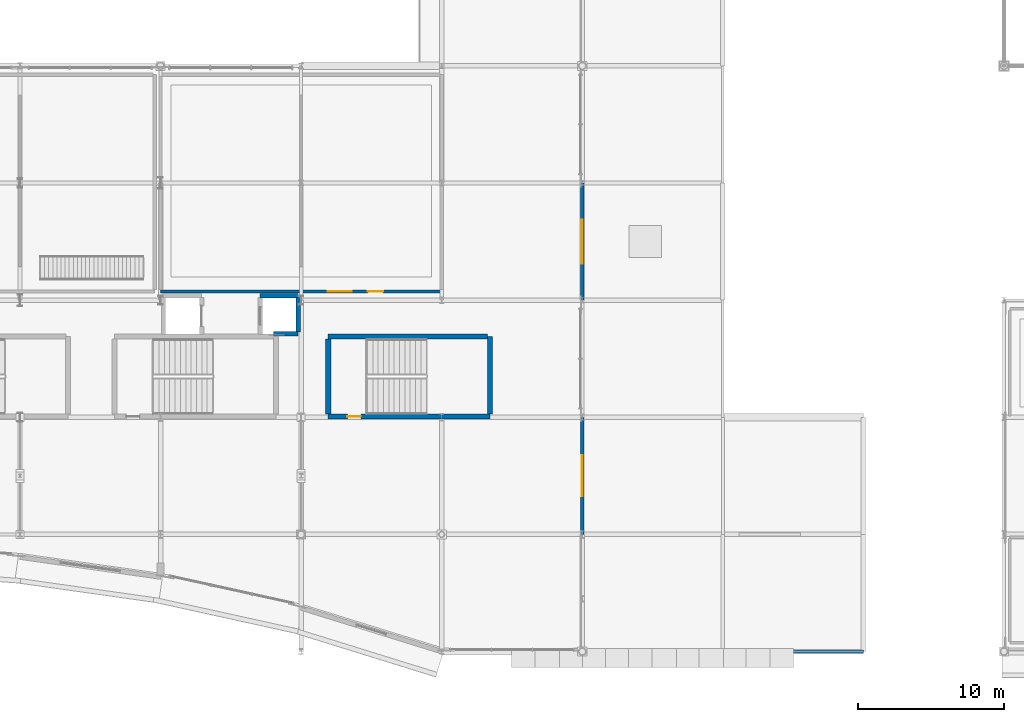
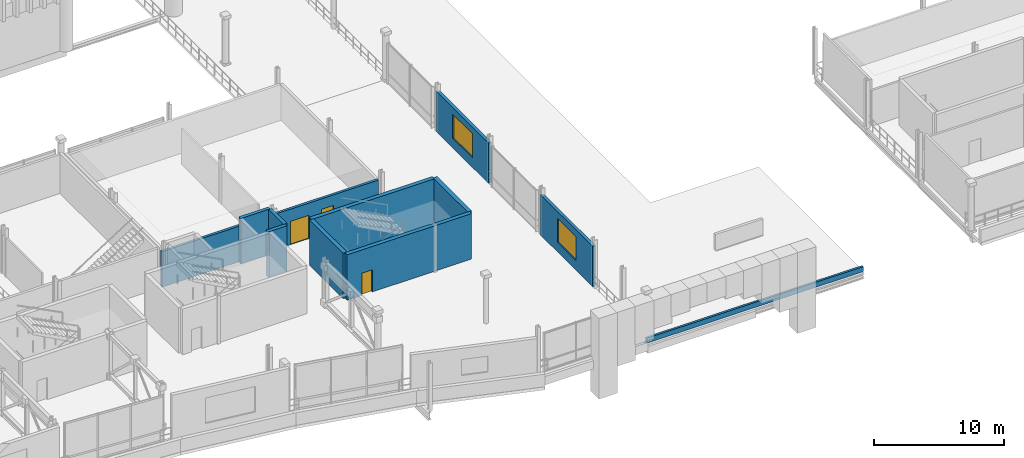
# One storey, part 152 of 193: 11 walls, 3 doors, 2 windows, 5 openings.
"""IFC4 building model written with IfcOpenShell, lengths in metres."""

from ifc_helpers import new_model, si_unit, direction, frame, frame_2d, origin, place, context, subcontext, project, spatial, rectangle, extrude, material, layer, layer_set, type_object, element, fill, save


model = new_model("IFC4")

# Units and contexts
model_context = context("Model", 3, precision=1e-05, world=origin(), true_north=direction((0.0, 1.0)))
body_context = subcontext(model_context, "Body", "Model", "MODEL_VIEW")
ifc_project = project(units=[si_unit("LENGTHUNIT", "METRE"), si_unit("AREAUNIT", "SQUARE_METRE"), si_unit("VOLUMEUNIT", "CUBIC_METRE"), si_unit("PLANEANGLEUNIT", "RADIAN"), si_unit("MASSUNIT", "GRAM", prefix="KILO")], contexts=[model_context])

# Site, building, storey
site_placement = place(None, origin())
site = spatial("IfcSite", under=ifc_project, at=site_placement, CompositionType="ELEMENT")
building_placement = place(site_placement, origin())
building = spatial("IfcBuilding", under=site, at=building_placement, Name="Danafjord Basin Convention Centre", CompositionType="ELEMENT")
storey_placement = place(building_placement, frame((0.0, 0.0, 11.39990234375)))
storey = spatial("IfcBuildingStorey", under=building, at=storey_placement, Name="L02", CompositionType="ELEMENT", Elevation=11.39990234375)

# Walls
ifc_material_1 = material(Name="Concrete C40/50", Category="concrete")
ifc_layer_1 = layer(ifc_material_1, 0.300048828125)
ifc_layer_set_1 = layer_set([ifc_layer_1], Name="Concrete C40/50")
wall_type_1 = type_object("IfcWallType", Name="WALL-CW-CORE300", PredefinedType="SHEAR", material=ifc_layer_set_1)
wall_1_placement = place(storey_placement, frame((95.800048828125, 24.300048828125, 0.0), z_axis=(0.0, 0.0, 1.0), x_axis=(-1.0, 0.0, 0.0)))
element("IfcWall", 1, at=wall_1_placement, inside=storey, type_object=wall_type_1, Name="Lift LF-P02 shaft shear wall", PredefinedType="SHEAR", context=body_context, shape_type="SweptSolid", body=[
    extrude(rectangle(XDim=2.60009765625, YDim=0.300048828125, at=frame_2d((1.300048828125, 0.0))), origin(), (0.0, 0.0, 1.0), 4.27001953125),
])
wall_2_placement = place(storey_placement, frame((94.110107421875, 21.699951171875, 0.0), z_axis=(0.0, 0.0, 1.0), x_axis=(1.0, 0.0, 0.0)))
element("IfcWall", 2, at=wall_2_placement, inside=storey, type_object=wall_type_1, Name="Lift LF-P02 shaft shear wall", PredefinedType="SHEAR", context=body_context, shape_type="SweptSolid", body=[
    extrude(rectangle(XDim=1.68994140625, YDim=0.300048828125, at=frame_2d((0.844970703125, 0.0))), origin(), (0.0, 0.0, 1.0), 4.27001953125),
])
wall_3_placement = place(storey_placement, frame((95.800048828125, 21.8349609375, 0.0), z_axis=(0.0, 0.0, 1.0), x_axis=(0.0, 1.0, 0.0)))
element("IfcWall", 3, at=wall_3_placement, inside=storey, type_object=wall_type_1, Name="Lift LF-P02 shaft shear wall", PredefinedType="SHEAR", context=body_context, shape_type="SweptSolid", body=[
    extrude(rectangle(XDim=2.330078125, YDim=0.300048828125, at=frame_2d((1.1650390625, 0.0))), origin(), (0.0, 0.0, 1.0), 4.27001953125),
])

# Wall, opening, door
ifc_material_2 = material(Name="Concrete C45/55", Category="concrete")
ifc_layer_2 = layer(ifc_material_2, 0.35009765625)
ifc_layer_set_2 = layer_set([ifc_layer_2], Name="Concrete C45/55")
wall_type_2 = type_object("IfcWallType", Name="WALL-CW-CORE350", PredefinedType="SHEAR", material=ifc_layer_set_2)
wall_4_placement = place(storey_placement, frame((97.85009765625, 16.050048828125, 0.0), z_axis=(0.0, 0.0, 1.0), x_axis=(1.0, 0.0, 0.0)))
wall_4 = element("IfcWall", 4, at=wall_4_placement, inside=storey, type_object=wall_type_2, Name="East Harbour Escape Stair 2 core shear wall (south)", PredefinedType="SHEAR", context=body_context, shape_type="SweptSolid", body=[
    extrude(rectangle(XDim=11.039794921875, YDim=0.35009765625, at=frame_2d((5.52001953125, 0.0))), origin(), (0.0, 0.0, 1.0), 4.27001953125),
])
opening_1_placement = place(wall_4_placement, frame((1.31201171875, 0.0, 0.0)))
opening_1 = element("IfcOpeningElement", 5, at=opening_1_placement, cuts=wall_4, Name="Opening FD-S01", PredefinedType="OPENING", context=body_context, shape_type="SweptSolid", body=[
    extrude(rectangle(XDim=0.909912109375, YDim=2.080078125, at=frame_2d((0.455078125, 1.0400390625))), frame((0.0, 0.18505859375, 0.0), z_axis=(0.0, -1.0, 0.0), x_axis=(1.0, 0.0, 0.0)), (0.0, 0.0, 1.0), 0.3701171875),
])
ifc_material_3 = material(Name="Powder-coated steel and Nordic oak", Category="steel")
door_type_1 = type_object("IfcDoorType", Name="DOOR-FD-S01", OperationType="NOTDEFINED", PredefinedType="DOOR", material=ifc_material_3)
door_1_placement = place(opening_1_placement, origin())
door_1 = element("IfcDoor", 6, at=door_1_placement, inside=storey, type_object=door_type_1, Name="East Harbour Escape Stair 2 L02 Fire Exit Door", OperationType="SINGLE_SWING_RIGHT", OverallHeight=2.080078125, OverallWidth=0.909912109375, PredefinedType="DOOR", context=body_context, shape_type="SweptSolid", body=[
    extrude(rectangle(XDim=0.909912109375, YDim=2.080078125, at=frame_2d((0.455078125, 1.0400390625))), frame((0.0, 0.02490234375, 0.0), z_axis=(0.0, -1.0, 0.0), x_axis=(1.0, 0.0, 0.0)), (0.0, 0.0, 1.0), 0.050048828125),
])
fill(opening_1, door_1)

# Walls
wall_5_placement = place(storey_placement, frame((108.889892578125, 16.2099609375, 0.0), z_axis=(0.0, 0.0, 1.0), x_axis=(0.0, 1.0, 0.0)))
element("IfcWall", 7, at=wall_5_placement, inside=storey, type_object=wall_type_2, Name="East Harbour Escape Stair 2 core shear wall (east)", PredefinedType="SHEAR", context=body_context, shape_type="SweptSolid", body=[
    extrude(rectangle(XDim=5.300048828125, YDim=0.35009765625, at=frame_2d((2.64990234375, 0.0))), origin(), (0.0, 0.0, 1.0), 4.27001953125),
])
wall_6_placement = place(storey_placement, frame((108.72998046875, 21.510009765625, 0.0), z_axis=(0.0, 0.0, 1.0), x_axis=(-1.0, 0.0, 0.0)))
element("IfcWall", 8, at=wall_6_placement, inside=storey, type_object=wall_type_2, Name="East Harbour Escape Stair 2 core shear wall (north)", PredefinedType="SHEAR", context=body_context, shape_type="SweptSolid", body=[
    extrude(rectangle(XDim=10.8798828125, YDim=0.35009765625, at=frame_2d((5.43994140625, 0.0))), origin(), (0.0, 0.0, 1.0), 4.27001953125),
])
wall_7_placement = place(storey_placement, frame((97.85009765625, 21.35009765625, 0.0), z_axis=(0.0, 0.0, 1.0), x_axis=(0.0, -1.0, 0.0)))
element("IfcWall", 9, at=wall_7_placement, inside=storey, type_object=wall_type_2, Name="East Harbour Escape Stair 2 core shear wall (west)", PredefinedType="SHEAR", context=body_context, shape_type="SweptSolid", body=[
    extrude(rectangle(XDim=5.14013671875, YDim=0.35009765625, at=frame_2d((2.570068359375, 0.0))), origin(), (0.0, 0.0, 1.0), 4.27001953125),
])
ifc_material_4 = material(Name="Precast concrete C40/50", Category="concrete")
ifc_layer_3 = layer(ifc_material_4, 0.18994140625)
ifc_layer_set_3 = layer_set([ifc_layer_3], Name="Precast concrete C40/50")
wall_type_3 = type_object("IfcWallType", Name="WALL-EW-PRP190", PredefinedType="PARAPET", material=ifc_layer_set_3)
wall_8_placement = place(storey_placement, frame((115.199951171875, 0.0, -0.419921875), z_axis=(0.0, 0.0, 1.0), x_axis=(1.0, 0.0, 0.0)))
element("IfcWall", 10, at=wall_8_placement, inside=storey, type_object=wall_type_3, Name="L02 precast roof curb upstand EW-PRP190", PredefinedType="PARAPET", context=body_context, shape_type="SweptSolid", body=[
    extrude(rectangle(XDim=19.199951171875, YDim=0.18994140625, at=frame_2d((9.60009765625, 0.0))), origin(), (0.0, 0.0, 1.0), 0.469970703125),
])

# Wall, opening, window
ifc_material_5 = material(Name="Concrete C35/45", Category="concrete")
ifc_layer_4 = layer(ifc_material_5, 0.260009765625)
ifc_layer_set_4 = layer_set([ifc_layer_4], Name="Concrete C35/45")
wall_type_4 = type_object("IfcWallType", Name="WALL-EW-STD260", PredefinedType="STANDARD", material=ifc_layer_set_4)
wall_9_placement = place(storey_placement, frame((115.199951171875, 8.0, 0.0), z_axis=(0.0, 0.0, 1.0), x_axis=(0.0, 1.0, 0.0)))
wall_9 = element("IfcWall", 11, at=wall_9_placement, inside=storey, type_object=wall_type_4, Name="L02 E wing facade wall", PredefinedType="STANDARD", context=body_context, shape_type="SweptSolid", body=[
    extrude(rectangle(XDim=8.0, YDim=0.260009765625, at=frame_2d((4.0, 0.0))), origin(), (0.0, 0.0, 1.0), 3.7900390625),
])
opening_2_placement = place(wall_9_placement, frame((2.60009765625, 0.0, 0.89990234375)))
opening_2 = element("IfcOpeningElement", 12, at=opening_2_placement, cuts=wall_9, Name="Opening WN-09", PredefinedType="OPENING", context=body_context, shape_type="SweptSolid", body=[
    extrude(rectangle(XDim=2.800048828125, YDim=2.25, at=frame_2d((1.39990234375, 1.125))), frame((0.0, 0.139892578125, 0.0), z_axis=(0.0, -1.0, 0.0), x_axis=(1.0, 0.0, 0.0)), (0.0, 0.0, 1.0), 0.280029296875),
])
ifc_material_6 = material(Name="Thermally broken aluminium and triple low-E glass", Category="aluminium")
window_type_1 = type_object("IfcWindowType", Name="WIN-WN-09", PartitioningType="SINGLE_PANEL", PredefinedType="WINDOW", material=ifc_material_6)
window_1_placement = place(opening_2_placement, origin())
window_1 = element("IfcWindow", 13, at=window_1_placement, inside=storey, type_object=window_type_1, Name="L02 E window WN-09", OverallHeight=2.25, OverallWidth=2.800048828125, PartitioningType="SINGLE_PANEL", PredefinedType="WINDOW", context=body_context, shape_type="SweptSolid", body=[
    extrude(rectangle(XDim=2.800048828125, YDim=2.25, at=frame_2d((1.39990234375, 1.125))), frame((0.0, 0.030029296875, 0.0), z_axis=(0.0, -1.0, 0.0), x_axis=(1.0, 0.0, 0.0)), (0.0, 0.0, 1.0), 0.06005859375),
])
fill(opening_2, window_1)

wall_10_placement = place(storey_placement, frame((115.199951171875, 24.0, 0.0), z_axis=(0.0, 0.0, 1.0), x_axis=(0.0, 1.0, 0.0)))
wall_10 = element("IfcWall", 14, at=wall_10_placement, inside=storey, type_object=wall_type_4, Name="L02 E wing facade wall", PredefinedType="STANDARD", context=body_context, shape_type="SweptSolid", body=[
    extrude(rectangle(XDim=8.0, YDim=0.260009765625, at=frame_2d((4.0, 0.0))), origin(), (0.0, 0.0, 1.0), 3.7900390625),
])
opening_3_placement = place(wall_10_placement, frame((2.5, 0.0, 0.89990234375)))
opening_3 = element("IfcOpeningElement", 15, at=opening_3_placement, cuts=wall_10, Name="Opening WN-10", PredefinedType="OPENING", context=body_context, shape_type="SweptSolid", body=[
    extrude(rectangle(XDim=3.0, YDim=2.25, at=frame_2d((1.5, 1.125))), frame((0.0, 0.139892578125, 0.0), z_axis=(0.0, -1.0, 0.0), x_axis=(1.0, 0.0, 0.0)), (0.0, 0.0, 1.0), 0.280029296875),
])
window_type_2 = type_object("IfcWindowType", Name="WIN-WN-10", PartitioningType="SINGLE_PANEL", PredefinedType="WINDOW", material=ifc_material_6)
window_2_placement = place(opening_3_placement, origin())
window_2 = element("IfcWindow", 16, at=window_2_placement, inside=storey, type_object=window_type_2, Name="L02 E window WN-10", OverallHeight=2.25, OverallWidth=3.0, PartitioningType="SINGLE_PANEL", PredefinedType="WINDOW", context=body_context, shape_type="SweptSolid", body=[
    extrude(rectangle(XDim=3.0, YDim=2.25, at=frame_2d((1.5, 1.125))), frame((0.0, 0.030029296875, 0.0), z_axis=(0.0, -1.0, 0.0), x_axis=(1.0, 0.0, 0.0)), (0.0, 0.0, 1.0), 0.06005859375),
])
fill(opening_3, window_2)

# Wall, openings, doors
ifc_material_7 = material(Name="Acoustic twin-stud gypsum and mineral wool")
ifc_layer_5 = layer(ifc_material_7, 0.219970703125)
ifc_layer_set_5 = layer_set([ifc_layer_5], Name="Acoustic twin-stud gypsum and mineral wool")
wall_type_5 = type_object("IfcWallType", Name="WALL-PT-AC220", PredefinedType="PARTITIONING", material=ifc_layer_set_5)
wall_11_placement = place(storey_placement, frame((86.39990234375, 24.60009765625, 0.0), z_axis=(0.0, 0.0, 1.0), x_axis=(1.0, 0.0, 0.0)))
wall_11 = element("IfcWall", 17, at=wall_11_placement, inside=storey, type_object=wall_type_5, Name="Subdivisible Conference Hall C204 south partition", PredefinedType="PARTITIONING", context=body_context, shape_type="SweptSolid", body=[
    extrude(rectangle(XDim=19.2001953125, YDim=0.219970703125, at=frame_2d((9.60009765625, 0.0))), origin(), (0.0, 0.0, 1.0), 3.340087890625),
])
opening_4_placement = place(wall_11_placement, frame((11.4140625, 0.0, 0.0)))
opening_4 = element("IfcOpeningElement", 18, at=opening_4_placement, cuts=wall_11, Name="Opening FD-D02", PredefinedType="OPENING", context=body_context, shape_type="SweptSolid", body=[
    extrude(rectangle(XDim=1.639892578125, YDim=2.199951171875, at=frame_2d((0.81982421875, 1.10009765625))), frame((0.0, 0.119873046875, 0.0), z_axis=(0.0, -1.0, 0.0), x_axis=(1.0, 0.0, 0.0)), (0.0, 0.0, 1.0), 0.239990234375),
])
opening_5_placement = place(wall_11_placement, frame((14.156982421875, 0.0, 0.0)))
opening_5 = element("IfcOpeningElement", 19, at=opening_5_placement, cuts=wall_11, Name="Opening FD-S25", PredefinedType="OPENING", context=body_context, shape_type="SweptSolid", body=[
    extrude(rectangle(XDim=1.050048828125, YDim=2.35009765625, at=frame_2d((0.52490234375, 1.175048828125))), frame((0.0, 0.119873046875, 0.0), z_axis=(0.0, -1.0, 0.0), x_axis=(1.0, 0.0, 0.0)), (0.0, 0.0, 1.0), 0.239990234375),
])
ifc_material_8 = material(Name="Brushed stainless steel and acoustic laminated glass", Category="steel")
door_type_2 = type_object("IfcDoorType", Name="DOOR-FD-D02", OperationType="DOUBLE_DOOR_SINGLE_SWING", PredefinedType="DOOR", material=ifc_material_8)
door_2_placement = place(opening_4_placement, origin())
door_2 = element("IfcDoor", 20, at=door_2_placement, inside=storey, type_object=door_type_2, Name="Subdivisible Conference Hall C204 Entrance Door", OperationType="DOUBLE_DOOR_SINGLE_SWING", OverallHeight=2.199951171875, OverallWidth=1.639892578125, PredefinedType="DOOR", context=body_context, shape_type="SweptSolid", body=[
    extrude(rectangle(XDim=1.639892578125, YDim=2.199951171875, at=frame_2d((0.81982421875, 1.10009765625))), frame((0.0, 0.02490234375, 0.0), z_axis=(0.0, -1.0, 0.0), x_axis=(1.0, 0.0, 0.0)), (0.0, 0.0, 1.0), 0.050048828125),
])
fill(opening_4, door_2)
door_type_3 = type_object("IfcDoorType", Name="DOOR-FD-S25", OperationType="NOTDEFINED", PredefinedType="DOOR", material=ifc_material_3)
door_3_placement = place(opening_5_placement, origin())
door_3 = element("IfcDoor", 21, at=door_3_placement, inside=storey, type_object=door_type_3, Name="Subdivisible Conference Hall C204 Secondary Exit Door", OperationType="SINGLE_SWING_RIGHT", OverallHeight=2.35009765625, OverallWidth=1.050048828125, PredefinedType="DOOR", context=body_context, shape_type="SweptSolid", body=[
    extrude(rectangle(XDim=1.050048828125, YDim=2.35009765625, at=frame_2d((0.52490234375, 1.175048828125))), frame((0.0, 0.02490234375, 0.0), z_axis=(0.0, -1.0, 0.0), x_axis=(1.0, 0.0, 0.0)), (0.0, 0.0, 1.0), 0.050048828125),
])
fill(opening_5, door_3)

save(model, "model.ifc")
